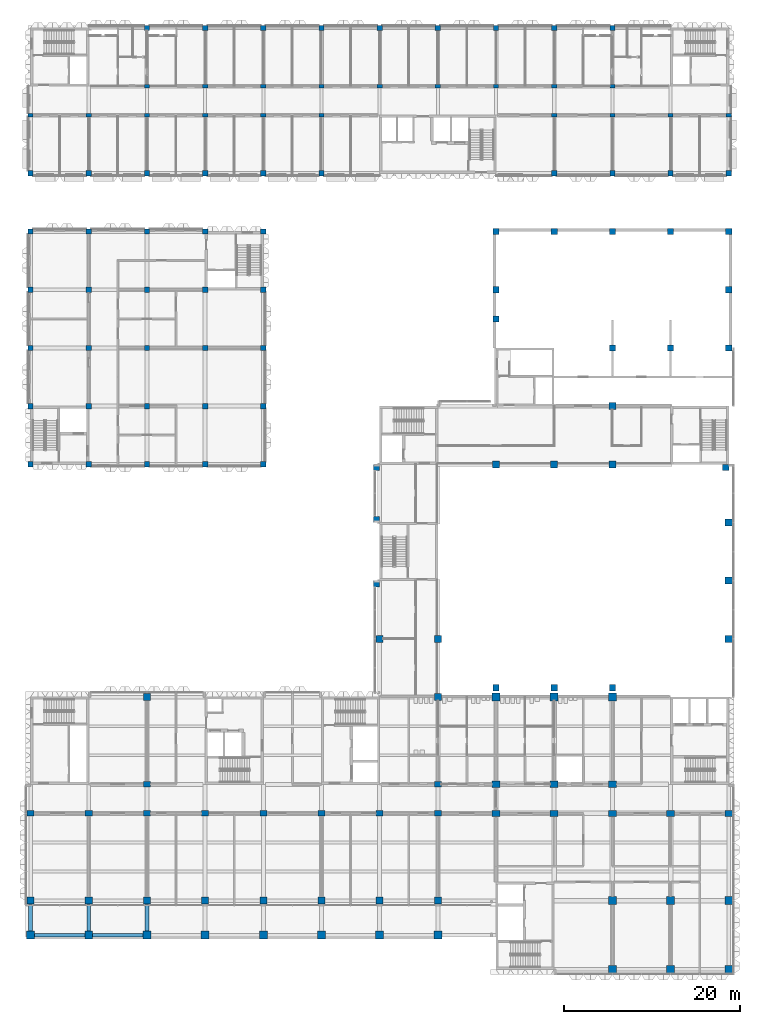
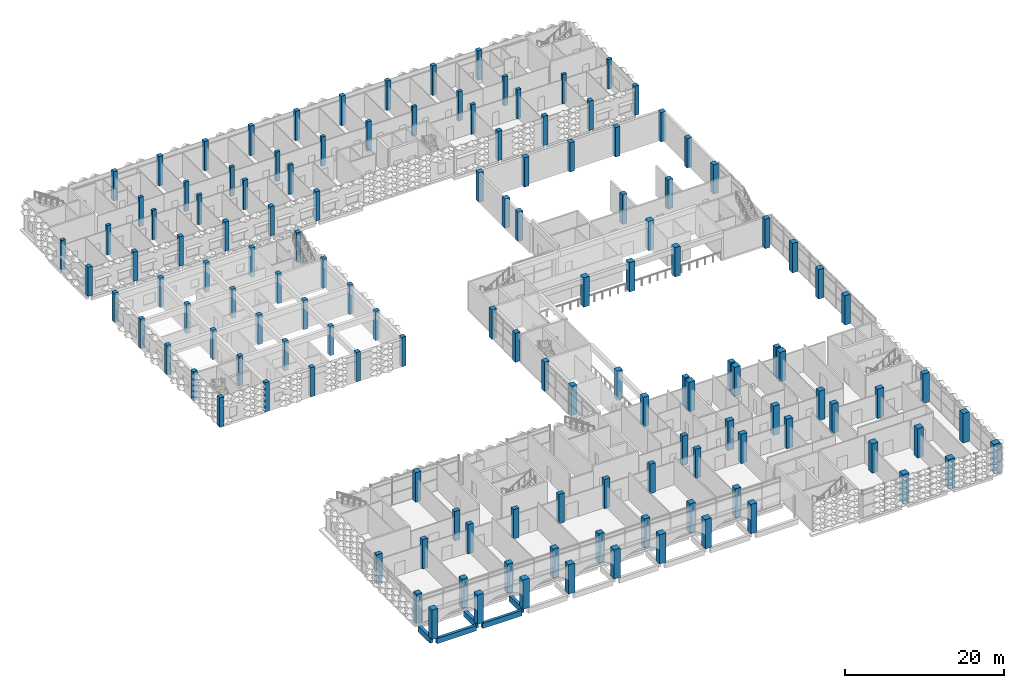
# One storey, part 1 of 87: 135 columns, 5 beams.
"""IFC4 building model written with IfcOpenShell, lengths in metres."""

from ifc_helpers import new_model, si_unit, direction, frame, origin, origin_2d, place, context, subcontext, project, spatial, rectangle, extrude, material, material_profile, profile_set, type_object, element, save


model = new_model("IFC4")

# Units and contexts
model_context = context("Model", 3, precision=1e-05, world=origin(), true_north=direction((0.0, 1.0)))
body_context = subcontext(model_context, "Body", "Model", "MODEL_VIEW")
ifc_project = project(units=[si_unit("LENGTHUNIT", "METRE"), si_unit("AREAUNIT", "SQUARE_METRE"), si_unit("VOLUMEUNIT", "CUBIC_METRE"), si_unit("PLANEANGLEUNIT", "RADIAN"), si_unit("MASSUNIT", "GRAM", prefix="KILO")], contexts=[model_context])

# Site, building, storey
site_placement = place(None, origin())
site = spatial("IfcSite", under=ifc_project, at=site_placement, CompositionType="ELEMENT")
building_placement = place(site_placement, origin())
building = spatial("IfcBuilding", under=site, at=building_placement, Name="Lantern Court Research Institute", CompositionType="ELEMENT")
storey_placement = place(building_placement, frame((0.0, 0.0, 5.39990234375)))
storey = spatial("IfcBuildingStorey", under=building, at=storey_placement, Name="L01", CompositionType="ELEMENT", Elevation=5.39990234375)

# Columns
ifc_material_1 = material(Name="Concrete C40/50", Category="concrete")
ifc_material_profile_1 = material_profile(ifc_material_1, rectangle(XDim=0.60009765625, YDim=0.60009765625, at=origin_2d()), Name="Clean room column 600 x 600")
ifc_profile_set_1 = profile_set([ifc_material_profile_1], Name="Concrete C40/50")
column_type_1 = type_object("IfcColumnType", Name="Clean room column 600 x 600", PredefinedType="COLUMN", material=ifc_profile_set_1)
for number, where, z_axis, x_axis, name in (
    (1, (0.0, 49.5, 0.0), (0.0, 0.0, 1.0), (1.0, 0.0, 0.0), "Clean room column"),
    (2, (0.0, 56.10009765625, 0.0), (0.0, 0.0, 1.0), (1.0, 0.0, 0.0), "Clean room column"),
    (3, (0.0, 62.699951171875, 0.0), (0.0, 0.0, 1.0), (1.0, 0.0, 0.0), "Clean room column"),
    (4, (0.0, 69.300048828125, 0.0), (0.0, 0.0, 1.0), (1.0, 0.0, 0.0), "Clean room column"),
    (5, (0.0, 75.89990234375, 0.0), (0.0, 0.0, 1.0), (1.0, 0.0, 0.0), "Clean room column"),
    (6, (6.60009765625, 49.5, 0.0), (0.0, 0.0, 1.0), (1.0, 0.0, 0.0), "Clean room column"),
    (7, (6.60009765625, 56.10009765625, 0.0), (0.0, 0.0, 1.0), (1.0, 0.0, 0.0), "Clean room column"),
    (8, (6.60009765625, 62.699951171875, 0.0), (0.0, 0.0, 1.0), (1.0, 0.0, 0.0), "Clean room column"),
    (9, (6.60009765625, 69.300048828125, 0.0), (0.0, 0.0, 1.0), (1.0, 0.0, 0.0), "Clean room column"),
    (10, (6.60009765625, 75.89990234375, 0.0), (0.0, 0.0, 1.0), (1.0, 0.0, 0.0), "Clean room column"),
    (11, (13.199951171875, 49.5, 0.0), (0.0, 0.0, 1.0), (1.0, 0.0, 0.0), "Clean room column"),
    (12, (13.199951171875, 56.10009765625, 0.0), (0.0, 0.0, 1.0), (1.0, 0.0, 0.0), "Clean room column"),
    (13, (13.199951171875, 62.699951171875, 0.0), (0.0, 0.0, 1.0), (1.0, 0.0, 0.0), "Clean room column"),
    (14, (13.199951171875, 69.300048828125, 0.0), (0.0, 0.0, 1.0), (1.0, 0.0, 0.0), "Clean room column"),
    (15, (13.199951171875, 75.89990234375, 0.0), (0.0, 0.0, 1.0), (1.0, 0.0, 0.0), "Clean room column"),
    (16, (19.800048828125, 49.5, 0.0), (0.0, 0.0, 1.0), (1.0, 0.0, 0.0), "Clean room column"),
    (17, (19.800048828125, 56.10009765625, 0.0), (0.0, 0.0, 1.0), (1.0, 0.0, 0.0), "Clean room column"),
    (18, (19.800048828125, 62.699951171875, 0.0), (0.0, 0.0, 1.0), (1.0, 0.0, 0.0), "Clean room column"),
    (19, (19.800048828125, 69.300048828125, 0.0), (0.0, 0.0, 1.0), (1.0, 0.0, 0.0), "Clean room column"),
    (20, (19.800048828125, 75.89990234375, 0.0), (0.0, 0.0, 1.0), (1.0, 0.0, 0.0), "Clean room column"),
    (21, (26.39990234375, 49.5, 0.0), (0.0, 0.0, 1.0), (1.0, 0.0, 0.0), "Clean room column"),
    (22, (26.39990234375, 56.10009765625, 0.0), (0.0, 0.0, 1.0), (1.0, 0.0, 0.0), "Clean room column"),
    (23, (26.39990234375, 62.699951171875, 0.0), (0.0, 0.0, 1.0), (1.0, 0.0, 0.0), "Clean room column"),
    (24, (26.39990234375, 69.300048828125, 0.0), (0.0, 0.0, 1.0), (1.0, 0.0, 0.0), "Clean room column"),
    (25, (26.39990234375, 75.89990234375, 0.0), (0.0, 0.0, 1.0), (1.0, 0.0, 0.0), "Clean room column"),
):
    element("IfcColumn", number, at=place(storey_placement, frame(where, z_axis=z_axis, x_axis=x_axis)), inside=storey, type_object=column_type_1, Name=name, PredefinedType="COLUMN", context=body_context, shape_type="SweptSolid", body=[
        extrude(rectangle(XDim=0.60009765625, YDim=0.60009765625, at=origin_2d()), origin(), (0.0, 0.0, 1.0), 4.5),
    ])
ifc_material_2 = material(Name="Concrete C40/50", Category="concrete")
ifc_material_profile_2 = material_profile(ifc_material_2, rectangle(XDim=0.699951171875, YDim=0.699951171875, at=origin_2d()), Name="Hall column 700 x 700")
ifc_profile_set_2 = profile_set([ifc_material_profile_2], Name="Concrete C40/50")
column_type_2 = type_object("IfcColumnType", Name="Hall column 700 x 700", PredefinedType="COLUMN", material=ifc_profile_set_2)
for number, where, z_axis, x_axis, name in (
    (26, (52.800048828125, 24.14990234375, 0.0), (0.0, 0.0, 1.0), (1.0, 0.0, 0.0), "Hall column"),
    (27, (59.39990234375, 24.14990234375, 0.0), (0.0, 0.0, 1.0), (1.0, 0.0, 0.0), "Hall column"),
    (28, (66.0, 24.14990234375, 0.0), (0.0, 0.0, 1.0), (1.0, 0.0, 0.0), "Hall column"),
    (29, (39.25, 35.949951171875, 0.0), (0.0, 0.0, 1.0), (1.0, 0.0, 0.0), "Hall column"),
    (30, (39.25, 43.25, 0.0), (0.0, 0.0, 1.0), (1.0, 0.0, 0.0), "Hall column"),
    (31, (39.25, 49.14990234375, 0.0), (0.0, 0.0, 1.0), (1.0, 0.0, 0.0), "Hall column"),
    (32, (78.85009765625, 49.14990234375, 0.0), (0.0, 0.0, 1.0), (1.0, 0.0, 0.0), "Hall column"),
    (33, (52.800048828125, 69.300048828125, 0.0), (0.0, 0.0, 1.0), (1.0, 0.0, 0.0), "Hall column"),
    (34, (52.800048828125, 75.89990234375, 0.0), (0.0, 0.0, 1.0), (1.0, 0.0, 0.0), "Hall column"),
    (35, (79.199951171875, 62.699951171875, 0.0), (0.0, 0.0, 1.0), (1.0, 0.0, 0.0), "Hall column"),
    (36, (79.199951171875, 69.300048828125, 0.0), (0.0, 0.0, 1.0), (1.0, 0.0, 0.0), "Hall column"),
    (37, (79.199951171875, 75.89990234375, 0.0), (0.0, 0.0, 1.0), (1.0, 0.0, 0.0), "Hall column"),
    (38, (59.39990234375, 75.89990234375, 0.0), (0.0, 0.0, 1.0), (1.0, 0.0, 0.0), "Hall column"),
    (39, (66.0, 75.89990234375, 0.0), (0.0, 0.0, 1.0), (1.0, 0.0, 0.0), "Hall column"),
    (40, (72.60009765625, 75.89990234375, 0.0), (0.0, 0.0, 1.0), (1.0, 0.0, 0.0), "Hall column"),
    (41, (66.0, 62.699951171875, 0.0), (0.0, 0.0, 1.0), (1.0, 0.0, 0.0), "Hall column"),
    (42, (72.60009765625, 62.699951171875, 0.0), (0.0, 0.0, 1.0), (1.0, 0.0, 0.0), "Hall column"),
    (43, (52.800048828125, 66.0, 0.0), (0.0, 0.0, 1.0), (1.0, 0.0, 0.0), "Hall column"),
):
    element("IfcColumn", number, at=place(storey_placement, frame(where, z_axis=z_axis, x_axis=x_axis)), inside=storey, type_object=column_type_2, Name=name, PredefinedType="COLUMN", context=body_context, shape_type="SweptSolid", body=[
        extrude(rectangle(XDim=0.699951171875, YDim=0.699951171875, at=origin_2d()), origin(), (0.0, 0.0, 1.0), 4.5),
    ])
ifc_material_3 = material(Name="Concrete C40/50", Category="concrete")
ifc_material_profile_3 = material_profile(ifc_material_3, rectangle(XDim=0.800048828125, YDim=0.800048828125, at=origin_2d()), Name="Hall column 800 x 800")
ifc_profile_set_3 = profile_set([ifc_material_profile_3], Name="Concrete C40/50")
column_type_3 = type_object("IfcColumnType", Name="Hall column 800 x 800", PredefinedType="COLUMN", material=ifc_profile_set_3)
for number, where, z_axis, x_axis, name in (
    (44, (39.60009765625, 29.699951171875, 0.0), (0.0, 0.0, 1.0), (1.0, 0.0, 0.0), "Hall column"),
    (45, (79.199951171875, 29.699951171875, 0.0), (0.0, 0.0, 1.0), (1.0, 0.0, 0.0), "Hall column"),
    (46, (79.199951171875, 36.300048828125, 0.0), (0.0, 0.0, 1.0), (1.0, 0.0, 0.0), "Hall column"),
    (47, (79.199951171875, 42.89990234375, 0.0), (0.0, 0.0, 1.0), (1.0, 0.0, 0.0), "Hall column"),
    (48, (66.0, 56.10009765625, 0.0), (0.0, 0.0, 1.0), (1.0, 0.0, 0.0), "Hall column"),
    (49, (46.199951171875, 29.699951171875, 0.0), (0.0, 0.0, 1.0), (1.0, 0.0, 0.0), "Hall column"),
    (50, (52.800048828125, 49.5, 0.0), (0.0, 0.0, 1.0), (1.0, 0.0, 0.0), "Hall column"),
    (51, (59.39990234375, 49.5, 0.0), (0.0, 0.0, 1.0), (1.0, 0.0, 0.0), "Hall column"),
    (52, (66.0, 49.5, 0.0), (0.0, 0.0, 1.0), (1.0, 0.0, 0.0), "Hall column"),
):
    element("IfcColumn", number, at=place(storey_placement, frame(where, z_axis=z_axis, x_axis=x_axis)), inside=storey, type_object=column_type_3, Name=name, PredefinedType="COLUMN", context=body_context, shape_type="SweptSolid", body=[
        extrude(rectangle(XDim=0.800048828125, YDim=0.800048828125, at=origin_2d()), origin(), (0.0, 0.0, 1.0), 4.5),
    ])
ifc_material_4 = material(Name="Concrete C40/50", Category="concrete")
ifc_material_profile_4 = material_profile(ifc_material_4, rectangle(XDim=0.60009765625, YDim=0.39990234375, at=origin_2d()), Name="RC column 600 x 400")
ifc_profile_set_4 = profile_set([ifc_material_profile_4], Name="Concrete C40/50")
column_type_4 = type_object("IfcColumnType", Name="RC column 600 x 400", PredefinedType="COLUMN", material=ifc_profile_set_4)
for number, where, z_axis, x_axis, name in (
    (53, (0.0, 89.10009765625, 0.0), (0.0, 0.0, 1.0), (1.0, 0.0, 0.0), "Column L01 grid 1/K"),
    (54, (6.60009765625, 89.10009765625, 0.0), (0.0, 0.0, 1.0), (1.0, 0.0, 0.0), "Column L01 grid 2/K"),
    (55, (13.199951171875, 89.10009765625, 0.0), (0.0, 0.0, 1.0), (1.0, 0.0, 0.0), "Column L01 grid 3/K"),
    (56, (13.199951171875, 92.39990234375, 0.0), (0.0, 0.0, 1.0), (1.0, 0.0, 0.0), "Column L01 grid 3/L"),
    (57, (19.800048828125, 89.10009765625, 0.0), (0.0, 0.0, 1.0), (1.0, 0.0, 0.0), "Column L01 grid 4/K"),
    (58, (19.800048828125, 92.39990234375, 0.0), (0.0, 0.0, 1.0), (1.0, 0.0, 0.0), "Column L01 grid 4/L"),
    (59, (26.39990234375, 89.10009765625, 0.0), (0.0, 0.0, 1.0), (1.0, 0.0, 0.0), "Column L01 grid 5/K"),
    (60, (26.39990234375, 92.39990234375, 0.0), (0.0, 0.0, 1.0), (1.0, 0.0, 0.0), "Column L01 grid 5/L"),
    (61, (33.0, 89.10009765625, 0.0), (0.0, 0.0, 1.0), (1.0, 0.0, 0.0), "Column L01 grid 6/K"),
    (62, (33.0, 92.39990234375, 0.0), (0.0, 0.0, 1.0), (1.0, 0.0, 0.0), "Column L01 grid 6/L"),
    (63, (39.60009765625, 92.39990234375, 0.0), (0.0, 0.0, 1.0), (1.0, 0.0, 0.0), "Column L01 grid 7/L"),
    (64, (46.199951171875, 92.39990234375, 0.0), (0.0, 0.0, 1.0), (1.0, 0.0, 0.0), "Column L01 grid 8/L"),
    (65, (52.800048828125, 92.39990234375, 0.0), (0.0, 0.0, 1.0), (1.0, 0.0, 0.0), "Column L01 grid 9/L"),
    (66, (59.39990234375, 89.10009765625, 0.0), (0.0, 0.0, 1.0), (1.0, 0.0, 0.0), "Column L01 grid 10/K"),
    (67, (59.39990234375, 92.39990234375, 0.0), (0.0, 0.0, 1.0), (1.0, 0.0, 0.0), "Column L01 grid 10/L"),
    (68, (66.0, 89.10009765625, 0.0), (0.0, 0.0, 1.0), (1.0, 0.0, 0.0), "Column L01 grid 11/K"),
    (69, (66.0, 92.39990234375, 0.0), (0.0, 0.0, 1.0), (1.0, 0.0, 0.0), "Column L01 grid 11/L"),
    (70, (72.60009765625, 89.10009765625, 0.0), (0.0, 0.0, 1.0), (1.0, 0.0, 0.0), "Column L01 grid 12/K"),
    (71, (79.199951171875, 89.10009765625, 0.0), (0.0, 0.0, 1.0), (1.0, 0.0, 0.0), "Column L01 grid 13/K"),
):
    element("IfcColumn", number, at=place(storey_placement, frame(where, z_axis=z_axis, x_axis=x_axis)), inside=storey, type_object=column_type_4, Name=name, PredefinedType="COLUMN", context=body_context, shape_type="SweptSolid", body=[
        extrude(rectangle(XDim=0.60009765625, YDim=0.39990234375, at=origin_2d()), origin(), (0.0, 0.0, 1.0), 4.5),
    ])
ifc_material_5 = material(Name="Concrete C40/50", Category="concrete")
ifc_material_profile_5 = material_profile(ifc_material_5, rectangle(XDim=0.60009765625, YDim=0.60009765625, at=origin_2d()), Name="RC column 600 x 600")
ifc_profile_set_5 = profile_set([ifc_material_profile_5], Name="Concrete C40/50")
column_type_5 = type_object("IfcColumnType", Name="RC column 600 x 600", PredefinedType="COLUMN", material=ifc_profile_set_5)
for number, where, z_axis, x_axis, name in (
    (72, (0.0, 82.5, 0.0), (0.0, 0.0, 1.0), (1.0, 0.0, 0.0), "Column L01 grid 1/J"),
    (73, (6.60009765625, 82.5, 0.0), (0.0, 0.0, 1.0), (1.0, 0.0, 0.0), "Column L01 grid 2/J"),
    (74, (13.199951171875, 82.5, 0.0), (0.0, 0.0, 1.0), (1.0, 0.0, 0.0), "Column L01 grid 3/J"),
    (75, (13.199951171875, 99.0, 0.0), (0.0, 0.0, 1.0), (1.0, 0.0, 0.0), "Column L01 grid 3/M"),
    (76, (19.800048828125, 82.5, 0.0), (0.0, 0.0, 1.0), (1.0, 0.0, 0.0), "Column L01 grid 4/J"),
    (77, (19.800048828125, 99.0, 0.0), (0.0, 0.0, 1.0), (1.0, 0.0, 0.0), "Column L01 grid 4/M"),
    (78, (26.39990234375, 82.5, 0.0), (0.0, 0.0, 1.0), (1.0, 0.0, 0.0), "Column L01 grid 5/J"),
    (79, (26.39990234375, 99.0, 0.0), (0.0, 0.0, 1.0), (1.0, 0.0, 0.0), "Column L01 grid 5/M"),
    (80, (33.0, 82.5, 0.0), (0.0, 0.0, 1.0), (1.0, 0.0, 0.0), "Column L01 grid 6/J"),
    (81, (33.0, 99.0, 0.0), (0.0, 0.0, 1.0), (1.0, 0.0, 0.0), "Column L01 grid 6/M"),
    (82, (39.60009765625, 99.0, 0.0), (0.0, 0.0, 1.0), (1.0, 0.0, 0.0), "Column L01 grid 7/M"),
    (83, (46.199951171875, 99.0, 0.0), (0.0, 0.0, 1.0), (1.0, 0.0, 0.0), "Column L01 grid 8/M"),
    (84, (52.800048828125, 99.0, 0.0), (0.0, 0.0, 1.0), (1.0, 0.0, 0.0), "Column L01 grid 9/M"),
    (85, (59.39990234375, 82.5, 0.0), (0.0, 0.0, 1.0), (1.0, 0.0, 0.0), "Column L01 grid 10/J"),
    (86, (59.39990234375, 99.0, 0.0), (0.0, 0.0, 1.0), (1.0, 0.0, 0.0), "Column L01 grid 10/M"),
    (87, (66.0, 82.5, 0.0), (0.0, 0.0, 1.0), (1.0, 0.0, 0.0), "Column L01 grid 11/J"),
    (88, (66.0, 99.0, 0.0), (0.0, 0.0, 1.0), (1.0, 0.0, 0.0), "Column L01 grid 11/M"),
    (89, (72.60009765625, 82.5, 0.0), (0.0, 0.0, 1.0), (1.0, 0.0, 0.0), "Column L01 grid 12/J"),
    (90, (79.199951171875, 82.5, 0.0), (0.0, 0.0, 1.0), (1.0, 0.0, 0.0), "Column L01 grid 13/J"),
):
    element("IfcColumn", number, at=place(storey_placement, frame(where, z_axis=z_axis, x_axis=x_axis)), inside=storey, type_object=column_type_5, Name=name, PredefinedType="COLUMN", context=body_context, shape_type="SweptSolid", body=[
        extrude(rectangle(XDim=0.60009765625, YDim=0.60009765625, at=origin_2d()), origin(), (0.0, 0.0, 1.0), 4.5),
    ])
ifc_material_6 = material(Name="Concrete C40/50", Category="concrete")
ifc_material_profile_6 = material_profile(ifc_material_6, rectangle(XDim=0.800048828125, YDim=0.60009765625, at=origin_2d()), Name="RC column 800 x 600")
ifc_profile_set_6 = profile_set([ifc_material_profile_6], Name="Concrete C40/50")
column_type_6 = type_object("IfcColumnType", Name="RC column 800 x 600", PredefinedType="COLUMN", material=ifc_profile_set_6)
for number, where, z_axis, x_axis, name in (
    (91, (0.0, 9.89990234375, 0.0), (0.0, 0.0, 1.0), (1.0, 0.0, 0.0), "Column L01 grid 1/B"),
    (92, (6.60009765625, 9.89990234375, 0.0), (0.0, 0.0, 1.0), (1.0, 0.0, 0.0), "Column L01 grid 2/B"),
    (93, (13.199951171875, 9.89990234375, 0.0), (0.0, 0.0, 1.0), (1.0, 0.0, 0.0), "Column L01 grid 3/B"),
    (94, (13.199951171875, 13.199951171875, 0.0), (0.0, 0.0, 1.0), (1.0, 0.0, 0.0), "Column L01 grid 3/C"),
    (95, (19.800048828125, 9.89990234375, 0.0), (0.0, 0.0, 1.0), (1.0, 0.0, 0.0), "Column L01 grid 4/B"),
    (96, (26.39990234375, 9.89990234375, 0.0), (0.0, 0.0, 1.0), (1.0, 0.0, 0.0), "Column L01 grid 5/B"),
    (97, (33.0, 9.89990234375, 0.0), (0.0, 0.0, 1.0), (1.0, 0.0, 0.0), "Column L01 grid 6/B"),
    (98, (39.60009765625, 9.89990234375, 0.0), (0.0, 0.0, 1.0), (1.0, 0.0, 0.0), "Column L01 grid 7/B"),
    (99, (46.199951171875, 9.89990234375, 0.0), (0.0, 0.0, 1.0), (1.0, 0.0, 0.0), "Column L01 grid 8/B"),
    (100, (46.199951171875, 13.199951171875, 0.0), (0.0, 0.0, 1.0), (1.0, 0.0, 0.0), "Column L01 grid 8/C"),
):
    element("IfcColumn", number, at=place(storey_placement, frame(where, z_axis=z_axis, x_axis=x_axis)), inside=storey, type_object=column_type_6, Name=name, PredefinedType="COLUMN", context=body_context, shape_type="SweptSolid", body=[
        extrude(rectangle(XDim=0.800048828125, YDim=0.60009765625, at=origin_2d()), origin(), (0.0, 0.0, 1.0), 4.5),
    ])
ifc_material_7 = material(Name="Concrete C40/50", Category="concrete")
ifc_material_profile_7 = material_profile(ifc_material_7, rectangle(XDim=0.800048828125, YDim=0.800048828125, at=origin_2d()), Name="RC column 800 x 800")
ifc_profile_set_7 = profile_set([ifc_material_profile_7], Name="Concrete C40/50")
column_type_7 = type_object("IfcColumnType", Name="RC column 800 x 800", PredefinedType="COLUMN", material=ifc_profile_set_7)
for number, where, z_axis, x_axis, name in (
    (101, (0.0, 0.0, 0.0), (0.0, 0.0, 1.0), (1.0, 0.0, 0.0), "Column L01 grid 1/A"),
    (102, (6.60009765625, 0.0, 0.0), (0.0, 0.0, 1.0), (1.0, 0.0, 0.0), "Column L01 grid 2/A"),
    (103, (13.199951171875, 0.0, 0.0), (0.0, 0.0, 1.0), (1.0, 0.0, 0.0), "Column L01 grid 3/A"),
    (104, (13.199951171875, 23.10009765625, 0.0), (0.0, 0.0, 1.0), (1.0, 0.0, 0.0), "Column L01 grid 3/D"),
    (105, (19.800048828125, 0.0, 0.0), (0.0, 0.0, 1.0), (1.0, 0.0, 0.0), "Column L01 grid 4/A"),
    (106, (26.39990234375, 0.0, 0.0), (0.0, 0.0, 1.0), (1.0, 0.0, 0.0), "Column L01 grid 5/A"),
    (107, (33.0, 0.0, 0.0), (0.0, 0.0, 1.0), (1.0, 0.0, 0.0), "Column L01 grid 6/A"),
    (108, (39.60009765625, 0.0, 0.0), (0.0, 0.0, 1.0), (1.0, 0.0, 0.0), "Column L01 grid 7/A"),
    (109, (46.199951171875, 0.0, 0.0), (0.0, 0.0, 1.0), (1.0, 0.0, 0.0), "Column L01 grid 8/A"),
    (110, (46.199951171875, 23.10009765625, 0.0), (0.0, 0.0, 1.0), (1.0, 0.0, 0.0), "Column L01 grid 8/D"),
):
    element("IfcColumn", number, at=place(storey_placement, frame(where, z_axis=z_axis, x_axis=x_axis)), inside=storey, type_object=column_type_7, Name=name, PredefinedType="COLUMN", context=body_context, shape_type="SweptSolid", body=[
        extrude(rectangle(XDim=0.800048828125, YDim=0.800048828125, at=origin_2d()), origin(), (0.0, 0.0, 1.0), 4.5),
    ])
ifc_material_8 = material(Name="Concrete C40/50", Category="concrete")
ifc_material_profile_8 = material_profile(ifc_material_8, rectangle(XDim=0.89990234375, YDim=0.699951171875, at=origin_2d()), Name="RC column 900 x 700")
ifc_profile_set_8 = profile_set([ifc_material_profile_8], Name="Concrete C40/50")
column_type_8 = type_object("IfcColumnType", Name="RC column 900 x 700", PredefinedType="COLUMN", material=ifc_profile_set_8)
for number, where, z_axis, x_axis, name in (
    (111, (52.800048828125, 9.89990234375, 0.0), (0.0, 0.0, 1.0), (1.0, 0.0, 0.0), "Column L01 grid 9/B"),
    (112, (52.800048828125, 13.199951171875, 0.0), (0.0, 0.0, 1.0), (1.0, 0.0, 0.0), "Column L01 grid 9/C"),
    (113, (59.39990234375, 9.89990234375, 0.0), (0.0, 0.0, 1.0), (1.0, 0.0, 0.0), "Column L01 grid 10/B"),
    (114, (59.39990234375, 13.199951171875, 0.0), (0.0, 0.0, 1.0), (1.0, 0.0, 0.0), "Column L01 grid 10/C"),
    (115, (66.0, 9.89990234375, 0.0), (0.0, 0.0, 1.0), (1.0, 0.0, 0.0), "Column L01 grid 11/B"),
    (116, (66.0, 13.199951171875, 0.0), (0.0, 0.0, 1.0), (1.0, 0.0, 0.0), "Column L01 grid 11/C"),
    (117, (72.60009765625, 9.89990234375, 0.0), (0.0, 0.0, 1.0), (1.0, 0.0, 0.0), "Column L01 grid 12/B"),
    (118, (79.199951171875, 9.89990234375, 0.0), (0.0, 0.0, 1.0), (1.0, 0.0, 0.0), "Column L01 grid 13/B"),
):
    element("IfcColumn", number, at=place(storey_placement, frame(where, z_axis=z_axis, x_axis=x_axis)), inside=storey, type_object=column_type_8, Name=name, PredefinedType="COLUMN", context=body_context, shape_type="SweptSolid", body=[
        extrude(rectangle(XDim=0.89990234375, YDim=0.699951171875, at=origin_2d()), origin(), (0.0, 0.0, 1.0), 4.5),
    ])
ifc_material_9 = material(Name="Concrete C40/50", Category="concrete")
ifc_material_profile_9 = material_profile(ifc_material_9, rectangle(XDim=0.89990234375, YDim=0.89990234375, at=origin_2d()), Name="RC column 900 x 900")
ifc_profile_set_9 = profile_set([ifc_material_profile_9], Name="Concrete C40/50")
column_type_9 = type_object("IfcColumnType", Name="RC column 900 x 900", PredefinedType="COLUMN", material=ifc_profile_set_9)
for number, where, z_axis, x_axis, name in (
    (119, (52.800048828125, 23.10009765625, 0.0), (0.0, 0.0, 1.0), (1.0, 0.0, 0.0), "Column L01 grid 9/D"),
    (120, (59.39990234375, 23.10009765625, 0.0), (0.0, 0.0, 1.0), (1.0, 0.0, 0.0), "Column L01 grid 10/D"),
    (121, (66.0, -7.800048828125, 0.0), (0.0, 0.0, 1.0), (1.0, 0.0, 0.0), "Column L01 grid 11/Z"),
    (122, (66.0, 0.0, 0.0), (0.0, 0.0, 1.0), (1.0, 0.0, 0.0), "Column L01 grid 11/A"),
    (123, (66.0, 23.10009765625, 0.0), (0.0, 0.0, 1.0), (1.0, 0.0, 0.0), "Column L01 grid 11/D"),
    (124, (72.60009765625, -7.800048828125, 0.0), (0.0, 0.0, 1.0), (1.0, 0.0, 0.0), "Column L01 grid 12/Z"),
    (125, (72.60009765625, 0.0, 0.0), (0.0, 0.0, 1.0), (1.0, 0.0, 0.0), "Column L01 grid 12/A"),
    (126, (79.199951171875, -7.800048828125, 0.0), (0.0, 0.0, 1.0), (1.0, 0.0, 0.0), "Column L01 grid 13/Z"),
    (127, (79.199951171875, 0.0, 0.0), (0.0, 0.0, 1.0), (1.0, 0.0, 0.0), "Column L01 grid 13/A"),
):
    element("IfcColumn", number, at=place(storey_placement, frame(where, z_axis=z_axis, x_axis=x_axis)), inside=storey, type_object=column_type_9, Name=name, PredefinedType="COLUMN", context=body_context, shape_type="SweptSolid", body=[
        extrude(rectangle(XDim=0.89990234375, YDim=0.89990234375, at=origin_2d()), origin(), (0.0, 0.0, 1.0), 4.5),
    ])
ifc_material_10 = material(Name="Concrete C40/50", Category="concrete")
ifc_material_profile_10 = material_profile(ifc_material_10, rectangle(XDim=0.89990234375, YDim=0.89990234375, at=origin_2d()), Name="RC column 900 x 900")
ifc_profile_set_10 = profile_set([ifc_material_profile_10], Name="Concrete C40/50")
column_type_10 = type_object("IfcColumnType", Name="RC pier 900 x 900", PredefinedType="COLUMN", material=ifc_profile_set_10)
for number, where, z_axis, x_axis, name in (
    (128, (0.0, -3.89990234375, 0.0), (0.0, 0.0, 1.0), (1.0, 0.0, 0.0), "Street pier L01 grid 1/Y"),
    (129, (6.60009765625, -3.89990234375, 0.0), (0.0, 0.0, 1.0), (1.0, 0.0, 0.0), "Street pier L01 grid 2/Y"),
    (130, (13.199951171875, -3.89990234375, 0.0), (0.0, 0.0, 1.0), (1.0, 0.0, 0.0), "Street pier L01 grid 3/Y"),
    (131, (19.800048828125, -3.89990234375, 0.0), (0.0, 0.0, 1.0), (1.0, 0.0, 0.0), "Street pier L01 grid 4/Y"),
    (132, (26.39990234375, -3.89990234375, 0.0), (0.0, 0.0, 1.0), (1.0, 0.0, 0.0), "Street pier L01 grid 5/Y"),
    (133, (33.0, -3.89990234375, 0.0), (0.0, 0.0, 1.0), (1.0, 0.0, 0.0), "Street pier L01 grid 6/Y"),
    (134, (39.60009765625, -3.89990234375, 0.0), (0.0, 0.0, 1.0), (1.0, 0.0, 0.0), "Street pier L01 grid 7/Y"),
    (135, (46.199951171875, -3.89990234375, 0.0), (0.0, 0.0, 1.0), (1.0, 0.0, 0.0), "Street pier L01 grid 8/Y"),
):
    element("IfcColumn", number, at=place(storey_placement, frame(where, z_axis=z_axis, x_axis=x_axis)), inside=storey, type_object=column_type_10, Name=name, PredefinedType="COLUMN", context=body_context, shape_type="SweptSolid", body=[
        extrude(rectangle(XDim=0.89990234375, YDim=0.89990234375, at=origin_2d()), origin(), (0.0, 0.0, 1.0), 4.5),
    ])

# Beams
ifc_material_11 = material(Name="Concrete C40/50", Category="concrete")
ifc_material_profile_11 = material_profile(ifc_material_11, rectangle(XDim=0.449951171875, YDim=0.89990234375, at=origin_2d()), Name="RC beam 450 x 900")
ifc_profile_set_11 = profile_set([ifc_material_profile_11], Name="Concrete C40/50")
beam_type_1 = type_object("IfcBeamType", Name="RC link beam 450 x 900", PredefinedType="BEAM", material=ifc_profile_set_11)
for number, where, z_axis, x_axis, name in (
    (136, (0.0, -0.39990234375, -0.75), (0.0, -1.0, 0.0), (1.0, 0.0, 0.0), "Link beam L01 grid 1/A-Y"),
    (137, (6.60009765625, -0.39990234375, -0.75), (0.0, -1.0, 0.0), (1.0, 0.0, 0.0), "Link beam L01 grid 2/A-Y"),
    (138, (13.199951171875, -0.39990234375, -0.75), (0.0, -1.0, 0.0), (1.0, 0.0, 0.0), "Link beam L01 grid 3/A-Y"),
):
    element("IfcBeam", number, at=place(storey_placement, frame(where, z_axis=z_axis, x_axis=x_axis)), inside=storey, type_object=beam_type_1, Name=name, PredefinedType="BEAM", context=body_context, shape_type="SweptSolid", body=[
        extrude(rectangle(XDim=0.449951171875, YDim=0.89990234375, at=origin_2d()), origin(), (0.0, 0.0, 1.0), 3.050048828125),
    ])
ifc_material_12 = material(Name="Concrete C40/50", Category="concrete")
ifc_material_profile_12 = material_profile(ifc_material_12, rectangle(XDim=0.39990234375, YDim=0.800048828125, at=origin_2d()), Name="RC beam 400 x 800")
ifc_profile_set_12 = profile_set([ifc_material_profile_12], Name="Concrete C40/50")
beam_type_2 = type_object("IfcBeamType", Name="RC tie beam 400 x 800", PredefinedType="BEAM", material=ifc_profile_set_12)
for number, where, z_axis, x_axis, name in (
    (139, (0.449951171875, -3.89990234375, -0.699951171875), (1.0, 0.0, 0.0), (0.0, 1.0, 0.0), "Tie beam L01 grid Y/1-2"),
    (140, (7.050048828125, -3.89990234375, -0.699951171875), (1.0, 0.0, 0.0), (0.0, 1.0, 0.0), "Tie beam L01 grid Y/2-3"),
):
    element("IfcBeam", number, at=place(storey_placement, frame(where, z_axis=z_axis, x_axis=x_axis)), inside=storey, type_object=beam_type_2, Name=name, PredefinedType="BEAM", context=body_context, shape_type="SweptSolid", body=[
        extrude(rectangle(XDim=0.39990234375, YDim=0.800048828125, at=origin_2d()), origin(), (0.0, 0.0, 1.0), 5.699951171875),
    ])

save(model, "model.ifc")
